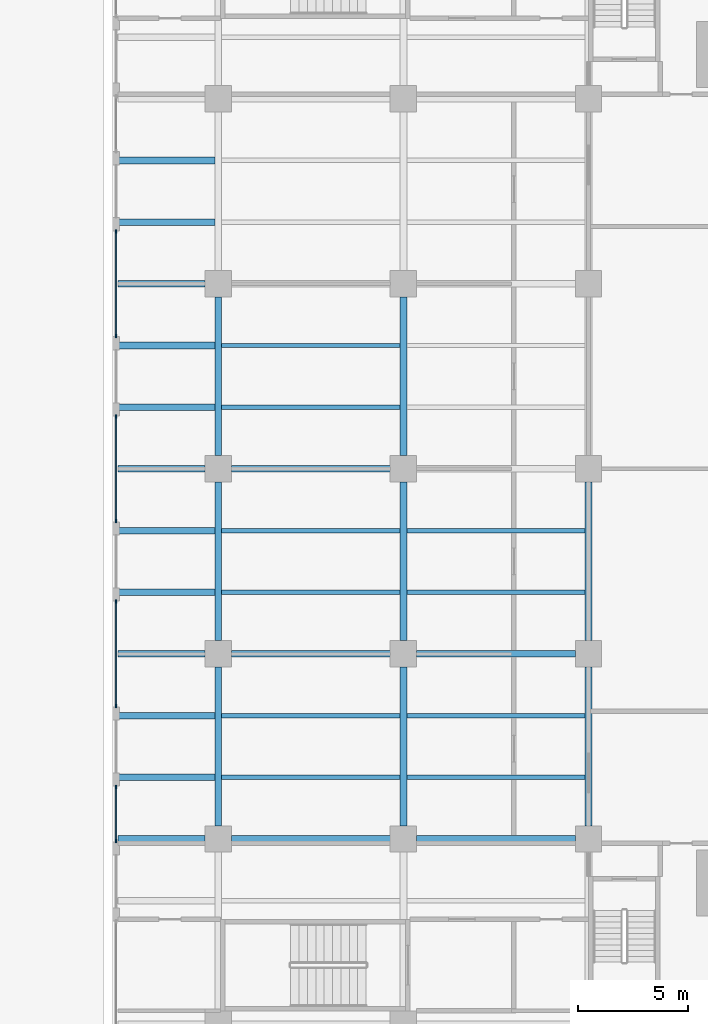
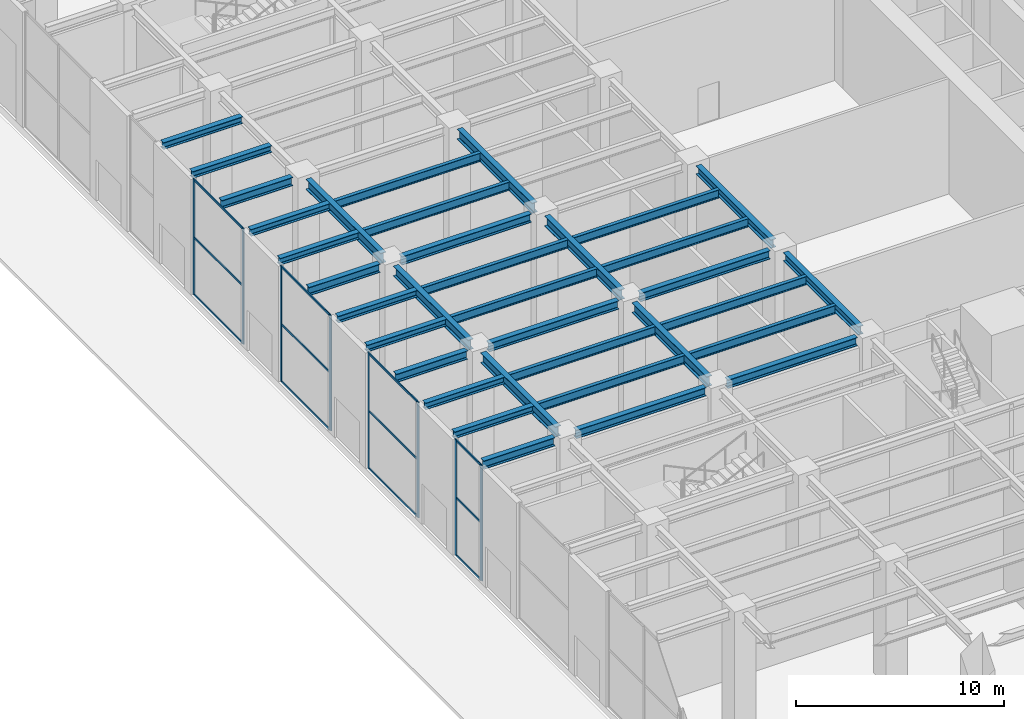
# One storey, part 9 of 43: 35 beams, 20 members, 4 elements without a shape of their own.
"""IFC4 building model written with IfcOpenShell, lengths in metres."""

import ifcopenshell
import ifcopenshell.guid

model = None  # the IFC model being written
_history = None  # IfcOwnerHistory: only IFC2X3 demands one
_inside = {}  # id of a spatial element -> (the spatial element, [elements in it])
_under = {}  # id of a project, library or spatial element -> (it, [spatial elements below it])
_declared = {}  # id of a project -> (the project, [libraries it declares])
_typed = {}  # id of a type object -> (the type object, [elements of that type])
_made_of = {}  # id of a material, layer set ... -> (it, [elements and type objects made of it])


def new_model(schema):
    """Start an empty IFC model of exactly this schema.

    Asked for "IFC4X3", IfcOpenShell would pick the latest addendum, in which some entities
    have other attributes; the version numbers below select the first issue.
    IFC2X3 requires an IfcOwnerHistory on every rooted entity: one is made here for all.
    """
    global model, _history
    if schema == "IFC4X3":
        model = ifcopenshell.file(schema_version=(4, 3, 0, 0))
    else:
        model = ifcopenshell.file(schema=schema)
    _inside.clear()
    _under.clear()
    _declared.clear()
    _typed.clear()
    _made_of.clear()
    _history = None
    if model.schema == "IFC2X3":
        org = make("IfcOrganization", Name="unknown")
        user = make(
            "IfcPersonAndOrganization",
            ThePerson=make("IfcPerson", FamilyName="unknown"),
            TheOrganization=org,
        )
        app = make(
            "IfcApplication",
            ApplicationDeveloper=org,
            Version="unknown",
            ApplicationFullName="unknown",
            ApplicationIdentifier="unknown",
        )
        _history = make(
            "IfcOwnerHistory",
            OwningUser=user,
            OwningApplication=app,
            ChangeAction="ADDED",
            CreationDate=0,
        )
    return model


def make(cls, **values):
    """One entity of the class cls with the attributes given. An attribute that is None is left unset."""
    return model.create_entity(
        cls, **{name: value for name, value in values.items() if value is not None}
    )


def rooted(cls, **values):
    """An entity with a GlobalId (a new one), such as an element, a storey or a relation."""
    return make(cls, GlobalId=ifcopenshell.guid.new(), OwnerHistory=_history, **values)


def si_unit(unit_type, name, prefix=None):
    """IfcSIUnit, for example si_unit("LENGTHUNIT", "METRE", prefix="MILLI")."""
    return make("IfcSIUnit", UnitType=unit_type, Prefix=prefix, Name=name)


def assignment(units):
    """IfcUnitAssignment: the units of a project."""
    return None if units is None else make("IfcUnitAssignment", Units=units)


def point(xyz):
    """IfcCartesianPoint."""
    return None if xyz is None else make("IfcCartesianPoint", Coordinates=xyz)


def direction(xyz):
    """IfcDirection."""
    return None if xyz is None else make("IfcDirection", DirectionRatios=xyz)


def frame(location, z_axis=None, x_axis=None):
    """IfcAxis2Placement3D, a coordinate frame: its origin and axes. An axis left out is left unset."""
    return make(
        "IfcAxis2Placement3D",
        Location=point(location),
        Axis=direction(z_axis),
        RefDirection=direction(x_axis),
    )


def frame_2d(location, x_axis=None):
    """IfcAxis2Placement2D, a coordinate frame in the plane: its origin and x axis."""
    return make(
        "IfcAxis2Placement2D", Location=point(location), RefDirection=direction(x_axis)
    )


def origin():
    """The frame at (0, 0, 0) with its axes left unset."""
    return frame((0.0, 0.0, 0.0))


def origin_2d():
    """The frame at (0, 0) in the plane with its x axis left unset."""
    return frame_2d((0.0, 0.0))


def place(relative_to, where):
    """IfcLocalPlacement: puts the frame where relative to a parent placement (None: the world)."""
    return make(
        "IfcLocalPlacement", PlacementRelTo=relative_to, RelativePlacement=where
    )


def context(
    kind, dimensions, precision=None, world=None, true_north=None, identifier=None
):
    """IfcGeometricRepresentationContext, for example the 3D "Model" context."""
    return make(
        "IfcGeometricRepresentationContext",
        ContextIdentifier=identifier,
        ContextType=kind,
        CoordinateSpaceDimension=dimensions,
        Precision=precision,
        WorldCoordinateSystem=world,
        TrueNorth=true_north,
    )


def subcontext(parent, identifier, kind, view, scale=None):
    """IfcGeometricRepresentationSubContext, for example "Body" below "Model"."""
    return make(
        "IfcGeometricRepresentationSubContext",
        ContextIdentifier=identifier,
        ContextType=kind,
        ParentContext=parent,
        TargetScale=scale,
        TargetView=view,
    )


def project(units=None, contexts=None):
    """IfcProject with its units and contexts."""
    return rooted(
        "IfcProject",
        Name="project",
        RepresentationContexts=contexts,
        UnitsInContext=assignment(units),
    )


def spatial(cls, under=None, at=None, **own):
    """A site, building, storey or space (cls), placed at a placement, below another one or the project."""
    s = rooted(cls, ObjectPlacement=at, **own)
    if under is not None:
        _under.setdefault(under.id(), (under, []))[1].append(s)
    return s


def profile(cls, at=None, kind="AREA", **sizes):
    """A parametric profile (cls). Its sizes go by their IFC names, for example OverallWidth=200.0."""
    return make(cls, ProfileType=kind, Position=at, **sizes)


def rectangle(**sizes):
    """IfcRectangleProfileDef."""
    return profile("IfcRectangleProfileDef", **sizes)


def i_section(**sizes):
    """IfcIShapeProfileDef."""
    return profile("IfcIShapeProfileDef", **sizes)


def extrude(swept, where, along, depth):
    """IfcExtrudedAreaSolid: the profile swept, set in the frame where, extruded along a direction by depth."""
    return make(
        "IfcExtrudedAreaSolid",
        SweptArea=swept,
        Position=where,
        ExtrudedDirection=direction(along),
        Depth=depth,
    )


def shape(context_of_items, identifier, shape_type, items):
    """IfcShapeRepresentation: the items that make up one representation, for example the "Body"."""
    return make(
        "IfcShapeRepresentation",
        ContextOfItems=context_of_items,
        RepresentationIdentifier=identifier,
        RepresentationType=shape_type,
        Items=items,
    )


def material(Name=None, Category=None):
    """IfcMaterial."""
    return make("IfcMaterial", Name=Name, Category=Category)


def material_profile(
    of_material, cross_section, Name=None, Category=None, Priority=None
):
    """IfcMaterialProfile: a cross section and its material."""
    return make(
        "IfcMaterialProfile",
        Name=Name,
        Material=of_material,
        Profile=cross_section,
        Priority=Priority,
        Category=Category,
    )


def profile_set(profiles, Name=None, composite=None):
    """IfcMaterialProfileSet."""
    return make(
        "IfcMaterialProfileSet",
        Name=Name,
        MaterialProfiles=profiles,
        CompositeProfile=composite,
    )


def made_of(thing, what):
    """Note that an element or type object is made of a material, layer set ...; save() writes the relation."""
    if what is not None:
        _made_of.setdefault(what.id(), (what, []))[1].append(thing)
    return thing


def type_object(cls, material=None, **own):
    """A type object (cls), such as IfcWallType, which elements share."""
    return made_of(rooted(cls, **own), material)


def element(
    cls,
    number,
    at=None,
    inside=None,
    cuts=None,
    type_object=None,
    material=None,
    context=None,
    identifier="Body",
    shape_type=None,
    held_by="IfcProductDefinitionShape",
    body=None,
    shapes=None,
    **own,
):
    """One element of the class cls, such as IfcWall. Its Tag is "e" and its number.

    at: its placement. inside: the storey or other place that contains it. cuts: it is an
    opening in that element (IfcRelVoidsElement). A single representation is given by context,
    identifier, shape_type and body (its items); several are given by shapes. held_by: the class
    of the entity that holds the representations. save() writes the other relations.
    """
    e = rooted(cls, Tag="e%d" % number, ObjectPlacement=at, **own)
    if body is not None:
        shapes = [shape(context, identifier, shape_type, body)]
    if shapes is not None:
        e.Representation = make(held_by, Representations=shapes)
    if inside is not None:
        _inside.setdefault(inside.id(), (inside, []))[1].append(e)
    if cuts is not None:
        rooted(
            "IfcRelVoidsElement", RelatingBuildingElement=cuts, RelatedOpeningElement=e
        )
    if type_object is not None:
        _typed.setdefault(type_object.id(), (type_object, []))[1].append(e)
    return made_of(e, material)


def aggregate(whole, parts):
    """IfcRelAggregates: a whole, such as a stair, and the parts it consists of."""
    return rooted("IfcRelAggregates", RelatingObject=whole, RelatedObjects=parts)


def save(model, path):
    """Write the relations noted so far, then the file.

    IfcRelAggregates (storeys below a building ...), IfcRelContainedInSpatialStructure (elements
    in a storey), IfcRelDefinesByType, IfcRelAssociatesMaterial and IfcRelDeclares: one each for
    every whole, place, type object, material and project.
    """
    for whole, parts in _under.values():
        aggregate(whole, parts)
    for where, things in _inside.values():
        rooted(
            "IfcRelContainedInSpatialStructure",
            RelatedElements=things,
            RelatingStructure=where,
        )
    for kind, things in _typed.values():
        rooted("IfcRelDefinesByType", RelatedObjects=things, RelatingType=kind)
    for what, things in _made_of.values():
        rooted("IfcRelAssociatesMaterial", RelatedObjects=things, RelatingMaterial=what)
    for by, libraries in _declared.values():
        rooted("IfcRelDeclares", RelatingContext=by, RelatedDefinitions=libraries)
    model.write(path)


model = new_model("IFC4")

# Units and contexts
model_context = context("Model", 3, precision=1e-05, world=origin(), true_north=direction((0.0, 1.0)))
body_context = subcontext(model_context, "Body", "Model", "MODEL_VIEW")
ifc_project = project(units=[si_unit("LENGTHUNIT", "METRE"), si_unit("AREAUNIT", "SQUARE_METRE"), si_unit("VOLUMEUNIT", "CUBIC_METRE"), si_unit("PLANEANGLEUNIT", "RADIAN"), si_unit("MASSUNIT", "GRAM", prefix="KILO")], contexts=[model_context])

# Site, building, storey
site_placement = place(None, origin())
site = spatial("IfcSite", under=ifc_project, at=site_placement, CompositionType="ELEMENT")
building_placement = place(site_placement, origin())
building = spatial("IfcBuilding", under=site, at=building_placement, Name="Khepri Terraces", CompositionType="ELEMENT")
storey_placement = place(building_placement, origin())
storey = spatial("IfcBuildingStorey", under=building, at=storey_placement, Name="L00", CompositionType="ELEMENT", Elevation=0.0)

# Curtain wall, members
ifc_material_1 = material(Name="Anodised aluminium bronze curtain wall", Category="aluminium")
curtain_wall_type = type_object("IfcCurtainWallType", Name="CW-SYS1-LOBBY", PredefinedType="NOTDEFINED", material=ifc_material_1)
curtain_wall_1_placement = place(storey_placement, origin())
curtain_wall_1 = element("IfcCurtainWall", 1, at=curtain_wall_1_placement, inside=storey, type_object=curtain_wall_type, Name="Curtain wall CW1 L00 W", PredefinedType="NOTDEFINED")
ifc_material_2 = material(Name="Anodised aluminium bronze", Category="aluminium")
ifc_material_profile_1 = material_profile(ifc_material_2, rectangle(XDim=0.06005859375, YDim=0.159912109375, at=origin_2d()), Name="Anodised aluminium bronze", Category="aluminium")
ifc_profile_set_1 = profile_set([ifc_material_profile_1], Name="Anodised aluminium bronze")
member_type_1 = type_object("IfcMemberType", Name="CW-MULLION-60x160", PredefinedType="MULLION", material=ifc_profile_set_1)
member_1_placement = place(storey_placement, frame((-46.64990234375, 10.77001953125, 0.0), z_axis=(0.0, 0.0, 1.0), x_axis=(1.0, 0.0, 0.0)))
member_1 = element("IfcMember", 2, at=member_1_placement, type_object=member_type_1, Name="CW1 mullion 1", PredefinedType="MULLION", context=body_context, shape_type="SweptSolid", body=[
    extrude(rectangle(XDim=0.06005859375, YDim=0.159912109375, at=origin_2d()), origin(), (0.0, 0.0, 1.0), 6.780029296875),
])
member_2_placement = place(storey_placement, frame((-46.64990234375, 6.030029296875, 0.0), z_axis=(0.0, 0.0, 1.0), x_axis=(1.0, 0.0, 0.0)))
member_2 = element("IfcMember", 3, at=member_2_placement, type_object=member_type_1, Name="CW1 mullion 2", PredefinedType="MULLION", context=body_context, shape_type="SweptSolid", body=[
    extrude(rectangle(XDim=0.06005859375, YDim=0.159912109375, at=origin_2d()), origin(), (0.0, 0.0, 1.0), 6.780029296875),
])

curtain_wall_2_placement = place(storey_placement, origin())
curtain_wall_2 = element("IfcCurtainWall", 4, at=curtain_wall_2_placement, inside=storey, type_object=curtain_wall_type, Name="Curtain wall CW1 L00 W", PredefinedType="NOTDEFINED")
member_3_placement = place(storey_placement, frame((-46.64990234375, 2.3701171875, 0.0), z_axis=(0.0, 0.0, 1.0), x_axis=(1.0, 0.0, 0.0)))
member_3 = element("IfcMember", 5, at=member_3_placement, type_object=member_type_1, Name="CW1 mullion 1", PredefinedType="MULLION", context=body_context, shape_type="SweptSolid", body=[
    extrude(rectangle(XDim=0.06005859375, YDim=0.159912109375, at=origin_2d()), origin(), (0.0, 0.0, 1.0), 6.780029296875),
])
member_4_placement = place(storey_placement, frame((-46.64990234375, -2.3701171875, 0.0), z_axis=(0.0, 0.0, 1.0), x_axis=(1.0, 0.0, 0.0)))
member_4 = element("IfcMember", 6, at=member_4_placement, type_object=member_type_1, Name="CW1 mullion 2", PredefinedType="MULLION", context=body_context, shape_type="SweptSolid", body=[
    extrude(rectangle(XDim=0.06005859375, YDim=0.159912109375, at=origin_2d()), origin(), (0.0, 0.0, 1.0), 6.780029296875),
])

curtain_wall_3_placement = place(storey_placement, origin())
curtain_wall_3 = element("IfcCurtainWall", 7, at=curtain_wall_3_placement, inside=storey, type_object=curtain_wall_type, Name="Curtain wall CW1 L00 W", PredefinedType="NOTDEFINED")
member_5_placement = place(storey_placement, frame((-46.64990234375, -6.030029296875, 0.0), z_axis=(0.0, 0.0, 1.0), x_axis=(1.0, 0.0, 0.0)))
member_5 = element("IfcMember", 8, at=member_5_placement, type_object=member_type_1, Name="CW1 mullion 1", PredefinedType="MULLION", context=body_context, shape_type="SweptSolid", body=[
    extrude(rectangle(XDim=0.06005859375, YDim=0.159912109375, at=origin_2d()), origin(), (0.0, 0.0, 1.0), 6.780029296875),
])
member_6_placement = place(storey_placement, frame((-46.64990234375, -10.77001953125, 0.0), z_axis=(0.0, 0.0, 1.0), x_axis=(1.0, 0.0, 0.0)))
member_6 = element("IfcMember", 9, at=member_6_placement, type_object=member_type_1, Name="CW1 mullion 2", PredefinedType="MULLION", context=body_context, shape_type="SweptSolid", body=[
    extrude(rectangle(XDim=0.06005859375, YDim=0.159912109375, at=origin_2d()), origin(), (0.0, 0.0, 1.0), 6.780029296875),
])

curtain_wall_4_placement = place(storey_placement, origin())
curtain_wall_4 = element("IfcCurtainWall", 10, at=curtain_wall_4_placement, inside=storey, type_object=curtain_wall_type, Name="Curtain wall CW1 L00 W", PredefinedType="NOTDEFINED")
member_7_placement = place(storey_placement, frame((-46.64990234375, -14.429931640625, 0.0), z_axis=(0.0, 0.0, 1.0), x_axis=(1.0, 0.0, 0.0)))
member_7 = element("IfcMember", 11, at=member_7_placement, type_object=member_type_1, Name="CW1 mullion 1", PredefinedType="MULLION", context=body_context, shape_type="SweptSolid", body=[
    extrude(rectangle(XDim=0.06005859375, YDim=0.159912109375, at=origin_2d()), origin(), (0.0, 0.0, 1.0), 6.780029296875),
])
member_8_placement = place(storey_placement, frame((-46.64990234375, -16.89501953125, 0.0), z_axis=(0.0, 0.0, 1.0), x_axis=(1.0, 0.0, 0.0)))
member_8 = element("IfcMember", 12, at=member_8_placement, type_object=member_type_1, Name="CW1 mullion 2", PredefinedType="MULLION", context=body_context, shape_type="SweptSolid", body=[
    extrude(rectangle(XDim=0.06005859375, YDim=0.159912109375, at=origin_2d()), origin(), (0.0, 0.0, 1.0), 6.780029296875),
])

# Member
ifc_material_profile_2 = material_profile(ifc_material_2, rectangle(XDim=0.06005859375, YDim=0.1201171875, at=origin_2d()), Name="Anodised aluminium bronze", Category="aluminium")
ifc_profile_set_2 = profile_set([ifc_material_profile_2], Name="Anodised aluminium bronze")
member_type_2 = type_object("IfcMemberType", Name="CW-TRANSOM-60x120", PredefinedType="USERDEFINED", material=ifc_profile_set_2)
member_9_placement = place(storey_placement, frame((-46.64990234375, 10.739990234375, 0.030029296875), z_axis=(0.0, -1.0, 0.0), x_axis=(1.0, 0.0, 0.0)))
member_9 = element("IfcMember", 13, at=member_9_placement, type_object=member_type_2, Name="CW1 transom 1.1", ObjectType="TRANSOM", PredefinedType="USERDEFINED", context=body_context, shape_type="SweptSolid", body=[
    extrude(rectangle(XDim=0.06005859375, YDim=0.1201171875, at=origin_2d()), origin(), (0.0, 0.0, 1.0), 4.679931640625),
])

member_10_placement = place(storey_placement, frame((-46.64990234375, 10.739990234375, 3.389892578125), z_axis=(0.0, -1.0, 0.0), x_axis=(1.0, 0.0, 0.0)))
member_10 = element("IfcMember", 14, at=member_10_placement, type_object=member_type_2, Name="CW1 transom 1.2", ObjectType="TRANSOM", PredefinedType="USERDEFINED", context=body_context, shape_type="SweptSolid", body=[
    extrude(rectangle(XDim=0.06005859375, YDim=0.1201171875, at=origin_2d()), origin(), (0.0, 0.0, 1.0), 4.679931640625),
])

member_11_placement = place(storey_placement, frame((-46.64990234375, 10.739990234375, 6.75), z_axis=(0.0, -1.0, 0.0), x_axis=(1.0, 0.0, 0.0)))
member_11 = element("IfcMember", 15, at=member_11_placement, type_object=member_type_2, Name="CW1 transom 1.3", ObjectType="TRANSOM", PredefinedType="USERDEFINED", context=body_context, shape_type="SweptSolid", body=[
    extrude(rectangle(XDim=0.06005859375, YDim=0.1201171875, at=origin_2d()), origin(), (0.0, 0.0, 1.0), 4.679931640625),
])

aggregate(curtain_wall_1, [member_1, member_2, member_9, member_10, member_11])

member_12_placement = place(storey_placement, frame((-46.64990234375, 2.340087890625, 0.030029296875), z_axis=(0.0, -1.0, 0.0), x_axis=(1.0, 0.0, 0.0)))
member_12 = element("IfcMember", 16, at=member_12_placement, type_object=member_type_2, Name="CW1 transom 1.1", ObjectType="TRANSOM", PredefinedType="USERDEFINED", context=body_context, shape_type="SweptSolid", body=[
    extrude(rectangle(XDim=0.06005859375, YDim=0.1201171875, at=origin_2d()), origin(), (0.0, 0.0, 1.0), 4.68017578125),
])

member_13_placement = place(storey_placement, frame((-46.64990234375, 2.340087890625, 3.389892578125), z_axis=(0.0, -1.0, 0.0), x_axis=(1.0, 0.0, 0.0)))
member_13 = element("IfcMember", 17, at=member_13_placement, type_object=member_type_2, Name="CW1 transom 1.2", ObjectType="TRANSOM", PredefinedType="USERDEFINED", context=body_context, shape_type="SweptSolid", body=[
    extrude(rectangle(XDim=0.06005859375, YDim=0.1201171875, at=origin_2d()), origin(), (0.0, 0.0, 1.0), 4.68017578125),
])

member_14_placement = place(storey_placement, frame((-46.64990234375, 2.340087890625, 6.75), z_axis=(0.0, -1.0, 0.0), x_axis=(1.0, 0.0, 0.0)))
member_14 = element("IfcMember", 18, at=member_14_placement, type_object=member_type_2, Name="CW1 transom 1.3", ObjectType="TRANSOM", PredefinedType="USERDEFINED", context=body_context, shape_type="SweptSolid", body=[
    extrude(rectangle(XDim=0.06005859375, YDim=0.1201171875, at=origin_2d()), origin(), (0.0, 0.0, 1.0), 4.68017578125),
])

aggregate(curtain_wall_2, [member_3, member_4, member_12, member_13, member_14])

member_15_placement = place(storey_placement, frame((-46.64990234375, -6.06005859375, 0.030029296875), z_axis=(0.0, -1.0, 0.0), x_axis=(1.0, 0.0, 0.0)))
member_15 = element("IfcMember", 19, at=member_15_placement, type_object=member_type_2, Name="CW1 transom 1.1", ObjectType="TRANSOM", PredefinedType="USERDEFINED", context=body_context, shape_type="SweptSolid", body=[
    extrude(rectangle(XDim=0.06005859375, YDim=0.1201171875, at=origin_2d()), origin(), (0.0, 0.0, 1.0), 4.679931640625),
])

member_16_placement = place(storey_placement, frame((-46.64990234375, -6.06005859375, 3.389892578125), z_axis=(0.0, -1.0, 0.0), x_axis=(1.0, 0.0, 0.0)))
member_16 = element("IfcMember", 20, at=member_16_placement, type_object=member_type_2, Name="CW1 transom 1.2", ObjectType="TRANSOM", PredefinedType="USERDEFINED", context=body_context, shape_type="SweptSolid", body=[
    extrude(rectangle(XDim=0.06005859375, YDim=0.1201171875, at=origin_2d()), origin(), (0.0, 0.0, 1.0), 4.679931640625),
])

member_17_placement = place(storey_placement, frame((-46.64990234375, -6.06005859375, 6.75), z_axis=(0.0, -1.0, 0.0), x_axis=(1.0, 0.0, 0.0)))
member_17 = element("IfcMember", 21, at=member_17_placement, type_object=member_type_2, Name="CW1 transom 1.3", ObjectType="TRANSOM", PredefinedType="USERDEFINED", context=body_context, shape_type="SweptSolid", body=[
    extrude(rectangle(XDim=0.06005859375, YDim=0.1201171875, at=origin_2d()), origin(), (0.0, 0.0, 1.0), 4.679931640625),
])

aggregate(curtain_wall_3, [member_5, member_6, member_15, member_16, member_17])

member_18_placement = place(storey_placement, frame((-46.64990234375, -14.4599609375, 0.030029296875), z_axis=(0.0, -1.0, 0.0), x_axis=(1.0, 0.0, 0.0)))
member_18 = element("IfcMember", 22, at=member_18_placement, type_object=member_type_2, Name="CW1 transom 1.1", ObjectType="TRANSOM", PredefinedType="USERDEFINED", context=body_context, shape_type="SweptSolid", body=[
    extrude(rectangle(XDim=0.06005859375, YDim=0.1201171875, at=origin_2d()), origin(), (0.0, 0.0, 1.0), 2.405029296875),
])

member_19_placement = place(storey_placement, frame((-46.64990234375, -14.4599609375, 3.389892578125), z_axis=(0.0, -1.0, 0.0), x_axis=(1.0, 0.0, 0.0)))
member_19 = element("IfcMember", 23, at=member_19_placement, type_object=member_type_2, Name="CW1 transom 1.2", ObjectType="TRANSOM", PredefinedType="USERDEFINED", context=body_context, shape_type="SweptSolid", body=[
    extrude(rectangle(XDim=0.06005859375, YDim=0.1201171875, at=origin_2d()), origin(), (0.0, 0.0, 1.0), 2.405029296875),
])

member_20_placement = place(storey_placement, frame((-46.64990234375, -14.4599609375, 6.75), z_axis=(0.0, -1.0, 0.0), x_axis=(1.0, 0.0, 0.0)))
member_20 = element("IfcMember", 24, at=member_20_placement, type_object=member_type_2, Name="CW1 transom 1.3", ObjectType="TRANSOM", PredefinedType="USERDEFINED", context=body_context, shape_type="SweptSolid", body=[
    extrude(rectangle(XDim=0.06005859375, YDim=0.1201171875, at=origin_2d()), origin(), (0.0, 0.0, 1.0), 2.405029296875),
])

aggregate(curtain_wall_4, [member_7, member_8, member_18, member_19, member_20])

# Beams
ifc_material_3 = material(Name="Steel S355", Category="steel")
ifc_material_profile_3 = material_profile(ifc_material_3, i_section(OverallWidth=0.300048828125, OverallDepth=0.39990234375, WebThickness=0.013427734375, FlangeThickness=0.02392578125, FilletRadius=0.027099609375, at=origin_2d()), Name="Steel S355", Category="steel")
ifc_profile_set_3 = profile_set([ifc_material_profile_3], Name="Steel S355")
beam_type_1 = type_object("IfcBeamType", Name="Podium cantilever joist L01 HEB 400", PredefinedType="JOIST", material=ifc_profile_set_3)
for number, where, z_axis, x_axis, name in (
    (25, (-46.550048828125, -14.0, 6.800048828125), (1.0, 0.0, 0.0), (0.0, 1.0, 0.0), "Podium cantilever joist L01 107"),
    (26, (-46.550048828125, -11.199951171875, 6.800048828125), (1.0, 0.0, 0.0), (0.0, 1.0, 0.0), "Podium cantilever joist L01 113"),
    (27, (-46.550048828125, -5.60009765625, 6.800048828125), (1.0, 0.0, 0.0), (0.0, 1.0, 0.0), "Podium cantilever joist L01 125"),
    (28, (-46.550048828125, -2.800048828125, 6.800048828125), (1.0, 0.0, 0.0), (0.0, 1.0, 0.0), "Podium cantilever joist L01 131"),
    (29, (-46.550048828125, 2.800048828125, 6.800048828125), (1.0, 0.0, 0.0), (0.0, 1.0, 0.0), "Podium cantilever joist L01 143"),
    (30, (-46.550048828125, 5.60009765625, 6.800048828125), (1.0, 0.0, 0.0), (0.0, 1.0, 0.0), "Podium cantilever joist L01 149"),
    (31, (-46.550048828125, 11.199951171875, 6.800048828125), (1.0, 0.0, 0.0), (0.0, 1.0, 0.0), "Podium cantilever joist L01 161"),
    (32, (-46.550048828125, 14.0, 6.800048828125), (1.0, 0.0, 0.0), (0.0, 1.0, 0.0), "Podium cantilever joist L01 167"),
):
    element("IfcBeam", number, at=place(storey_placement, frame(where, z_axis=z_axis, x_axis=x_axis)), inside=storey, type_object=beam_type_1, Name=name, PredefinedType="JOIST", context=body_context, shape_type="SweptSolid", body=[
        extrude(i_section(OverallWidth=0.300048828125, OverallDepth=0.39990234375, WebThickness=0.013427734375, FlangeThickness=0.02392578125, FilletRadius=0.027099609375, at=origin_2d()), origin(), (0.0, 0.0, 1.0), 4.400146484375),
    ])
ifc_material_profile_4 = material_profile(ifc_material_3, i_section(OverallWidth=0.300048828125, OverallDepth=0.60009765625, WebThickness=0.015380859375, FlangeThickness=0.030029296875, FilletRadius=0.027099609375, at=origin_2d()), Name="Steel S355", Category="steel")
ifc_profile_set_4 = profile_set([ifc_material_profile_4], Name="Steel S355")
beam_type_2 = type_object("IfcBeamType", Name="Podium girder L01 HEB 600", PredefinedType="BEAM", material=ifc_profile_set_4)
for number, where, z_axis, x_axis, name in (
    (33, (-42.0, -16.199951171875, 6.699951171875), (0.0, 1.0, 0.0), (-1.0, 0.0, 0.0), "Podium girder L01 005"),
    (34, (-42.0, -7.800048828125, 6.699951171875), (0.0, 1.0, 0.0), (-1.0, 0.0, 0.0), "Podium girder L01 006"),
    (35, (-42.0, 0.60009765625, 6.699951171875), (0.0, 1.0, 0.0), (-1.0, 0.0, 0.0), "Podium girder L01 007"),
    (36, (-33.60009765625, -16.199951171875, 6.699951171875), (0.0, 1.0, 0.0), (-1.0, 0.0, 0.0), "Podium girder L01 017"),
    (37, (-33.60009765625, -7.800048828125, 6.699951171875), (0.0, 1.0, 0.0), (-1.0, 0.0, 0.0), "Podium girder L01 018"),
    (38, (-33.60009765625, 0.60009765625, 6.699951171875), (0.0, 1.0, 0.0), (-1.0, 0.0, 0.0), "Podium girder L01 019"),
):
    element("IfcBeam", number, at=place(storey_placement, frame(where, z_axis=z_axis, x_axis=x_axis)), inside=storey, type_object=beam_type_2, Name=name, PredefinedType="BEAM", context=body_context, shape_type="SweptSolid", body=[
        extrude(i_section(OverallWidth=0.300048828125, OverallDepth=0.60009765625, WebThickness=0.015380859375, FlangeThickness=0.030029296875, FilletRadius=0.027099609375, at=origin_2d()), origin(), (0.0, 0.0, 1.0), 7.199951171875),
    ])
ifc_material_profile_5 = material_profile(ifc_material_3, i_section(OverallWidth=0.300048828125, OverallDepth=0.5, WebThickness=0.014404296875, FlangeThickness=0.028076171875, FilletRadius=0.027099609375, at=origin_2d()), Name="Steel S355", Category="steel")
ifc_profile_set_5 = profile_set([ifc_material_profile_5], Name="Steel S355")
beam_type_3 = type_object("IfcBeamType", Name="Podium girder L01 grid line HEB 500", PredefinedType="BEAM", material=ifc_profile_set_5)
beam_1_placement = place(storey_placement, frame((-46.550048828125, -16.800048828125, 6.75), z_axis=(1.0, 0.0, 0.0), x_axis=(0.0, 1.0, 0.0)))
element("IfcBeam", 39, at=beam_1_placement, inside=storey, type_object=beam_type_3, Name="Podium grid-line girder L01 101", PredefinedType="BEAM", context=body_context, shape_type="SweptSolid", body=[
    extrude(i_section(OverallWidth=0.300048828125, OverallDepth=0.5, WebThickness=0.014404296875, FlangeThickness=0.028076171875, FilletRadius=0.027099609375, at=origin_2d()), origin(), (0.0, 0.0, 1.0), 3.949951171875),
])
for number, where, z_axis, x_axis, name in (
    (40, (-41.39990234375, -16.800048828125, 6.75), (1.0, 0.0, 0.0), (0.0, 1.0, 0.0), "Podium grid-line girder L01 102"),
    (41, (-33.0, -16.800048828125, 6.75), (1.0, 0.0, 0.0), (0.0, 1.0, 0.0), "Podium grid-line girder L01 103"),
):
    element("IfcBeam", number, at=place(storey_placement, frame(where, z_axis=z_axis, x_axis=x_axis)), inside=storey, type_object=beam_type_3, Name=name, PredefinedType="BEAM", context=body_context, shape_type="SweptSolid", body=[
        extrude(i_section(OverallWidth=0.300048828125, OverallDepth=0.5, WebThickness=0.014404296875, FlangeThickness=0.028076171875, FilletRadius=0.027099609375, at=origin_2d()), origin(), (0.0, 0.0, 1.0), 7.199951171875),
    ])
beam_2_placement = place(storey_placement, frame((-46.550048828125, -8.39990234375, 6.75), z_axis=(1.0, 0.0, 0.0), x_axis=(0.0, 1.0, 0.0)))
element("IfcBeam", 42, at=beam_2_placement, inside=storey, type_object=beam_type_3, Name="Podium grid-line girder L01 119", PredefinedType="BEAM", context=body_context, shape_type="SweptSolid", body=[
    extrude(i_section(OverallWidth=0.300048828125, OverallDepth=0.5, WebThickness=0.014404296875, FlangeThickness=0.028076171875, FilletRadius=0.027099609375, at=origin_2d()), origin(), (0.0, 0.0, 1.0), 3.949951171875),
])
for number, where, z_axis, x_axis, name in (
    (43, (-41.39990234375, -8.39990234375, 6.75), (1.0, 0.0, 0.0), (0.0, 1.0, 0.0), "Podium grid-line girder L01 120"),
    (44, (-33.0, -8.39990234375, 6.75), (1.0, 0.0, 0.0), (0.0, 1.0, 0.0), "Podium grid-line girder L01 121"),
):
    element("IfcBeam", number, at=place(storey_placement, frame(where, z_axis=z_axis, x_axis=x_axis)), inside=storey, type_object=beam_type_3, Name=name, PredefinedType="BEAM", context=body_context, shape_type="SweptSolid", body=[
        extrude(i_section(OverallWidth=0.300048828125, OverallDepth=0.5, WebThickness=0.014404296875, FlangeThickness=0.028076171875, FilletRadius=0.027099609375, at=origin_2d()), origin(), (0.0, 0.0, 1.0), 7.199951171875),
    ])
beam_3_placement = place(storey_placement, frame((-46.550048828125, 0.0, 6.75), z_axis=(1.0, 0.0, 0.0), x_axis=(0.0, 1.0, 0.0)))
element("IfcBeam", 45, at=beam_3_placement, inside=storey, type_object=beam_type_3, Name="Podium grid-line girder L01 137", PredefinedType="BEAM", context=body_context, shape_type="SweptSolid", body=[
    extrude(i_section(OverallWidth=0.300048828125, OverallDepth=0.5, WebThickness=0.014404296875, FlangeThickness=0.028076171875, FilletRadius=0.027099609375, at=origin_2d()), origin(), (0.0, 0.0, 1.0), 3.949951171875),
])
beam_4_placement = place(storey_placement, frame((-41.39990234375, 0.0, 6.75), z_axis=(1.0, 0.0, 0.0), x_axis=(0.0, 1.0, 0.0)))
element("IfcBeam", 46, at=beam_4_placement, inside=storey, type_object=beam_type_3, Name="Podium grid-line girder L01 138", PredefinedType="BEAM", context=body_context, shape_type="SweptSolid", body=[
    extrude(i_section(OverallWidth=0.300048828125, OverallDepth=0.5, WebThickness=0.014404296875, FlangeThickness=0.028076171875, FilletRadius=0.027099609375, at=origin_2d()), origin(), (0.0, 0.0, 1.0), 7.199951171875),
])
beam_5_placement = place(storey_placement, frame((-46.550048828125, 8.39990234375, 6.75), z_axis=(1.0, 0.0, 0.0), x_axis=(0.0, 1.0, 0.0)))
element("IfcBeam", 47, at=beam_5_placement, inside=storey, type_object=beam_type_3, Name="Podium grid-line girder L01 155", PredefinedType="BEAM", context=body_context, shape_type="SweptSolid", body=[
    extrude(i_section(OverallWidth=0.300048828125, OverallDepth=0.5, WebThickness=0.014404296875, FlangeThickness=0.028076171875, FilletRadius=0.027099609375, at=origin_2d()), origin(), (0.0, 0.0, 1.0), 3.949951171875),
])
ifc_material_profile_6 = material_profile(ifc_material_3, i_section(OverallWidth=0.199951171875, OverallDepth=0.5, WebThickness=0.01025390625, FlangeThickness=0.01611328125, FilletRadius=0.02099609375, at=origin_2d()), Name="Steel S355", Category="steel")
ifc_profile_set_6 = profile_set([ifc_material_profile_6], Name="Steel S355")
beam_type_4 = type_object("IfcBeamType", Name="Podium joist L01 IPE 500", PredefinedType="JOIST", material=ifc_profile_set_6)
beam_6_placement = place(storey_placement, frame((-41.85009765625, -14.0, 6.75), z_axis=(1.0, 0.0, 0.0), x_axis=(0.0, 1.0, 0.0)))
element("IfcBeam", 48, at=beam_6_placement, inside=storey, type_object=beam_type_4, Name="Podium joist L01 108", PredefinedType="JOIST", context=body_context, shape_type="SweptSolid", body=[
    extrude(i_section(OverallWidth=0.199951171875, OverallDepth=0.5, WebThickness=0.01025390625, FlangeThickness=0.01611328125, FilletRadius=0.02099609375, at=origin_2d()), origin(), (0.0, 0.0, 1.0), 8.10009765625),
])
beam_7_placement = place(storey_placement, frame((-33.449951171875, -14.0, 6.75), z_axis=(1.0, 0.0, 0.0), x_axis=(0.0, 1.0, 0.0)))
element("IfcBeam", 49, at=beam_7_placement, inside=storey, type_object=beam_type_4, Name="Podium joist L01 109", PredefinedType="JOIST", context=body_context, shape_type="SweptSolid", body=[
    extrude(i_section(OverallWidth=0.199951171875, OverallDepth=0.5, WebThickness=0.01025390625, FlangeThickness=0.01611328125, FilletRadius=0.02099609375, at=origin_2d()), origin(), (0.0, 0.0, 1.0), 8.099853515625),
])
beam_8_placement = place(storey_placement, frame((-41.85009765625, -11.199951171875, 6.75), z_axis=(1.0, 0.0, 0.0), x_axis=(0.0, 1.0, 0.0)))
element("IfcBeam", 50, at=beam_8_placement, inside=storey, type_object=beam_type_4, Name="Podium joist L01 114", PredefinedType="JOIST", context=body_context, shape_type="SweptSolid", body=[
    extrude(i_section(OverallWidth=0.199951171875, OverallDepth=0.5, WebThickness=0.01025390625, FlangeThickness=0.01611328125, FilletRadius=0.02099609375, at=origin_2d()), origin(), (0.0, 0.0, 1.0), 8.10009765625),
])
beam_9_placement = place(storey_placement, frame((-33.449951171875, -11.199951171875, 6.75), z_axis=(1.0, 0.0, 0.0), x_axis=(0.0, 1.0, 0.0)))
element("IfcBeam", 51, at=beam_9_placement, inside=storey, type_object=beam_type_4, Name="Podium joist L01 115", PredefinedType="JOIST", context=body_context, shape_type="SweptSolid", body=[
    extrude(i_section(OverallWidth=0.199951171875, OverallDepth=0.5, WebThickness=0.01025390625, FlangeThickness=0.01611328125, FilletRadius=0.02099609375, at=origin_2d()), origin(), (0.0, 0.0, 1.0), 8.099853515625),
])
beam_10_placement = place(storey_placement, frame((-41.85009765625, -5.60009765625, 6.75), z_axis=(1.0, 0.0, 0.0), x_axis=(0.0, 1.0, 0.0)))
element("IfcBeam", 52, at=beam_10_placement, inside=storey, type_object=beam_type_4, Name="Podium joist L01 126", PredefinedType="JOIST", context=body_context, shape_type="SweptSolid", body=[
    extrude(i_section(OverallWidth=0.199951171875, OverallDepth=0.5, WebThickness=0.01025390625, FlangeThickness=0.01611328125, FilletRadius=0.02099609375, at=origin_2d()), origin(), (0.0, 0.0, 1.0), 8.10009765625),
])
beam_11_placement = place(storey_placement, frame((-33.449951171875, -5.60009765625, 6.75), z_axis=(1.0, 0.0, 0.0), x_axis=(0.0, 1.0, 0.0)))
element("IfcBeam", 53, at=beam_11_placement, inside=storey, type_object=beam_type_4, Name="Podium joist L01 127", PredefinedType="JOIST", context=body_context, shape_type="SweptSolid", body=[
    extrude(i_section(OverallWidth=0.199951171875, OverallDepth=0.5, WebThickness=0.01025390625, FlangeThickness=0.01611328125, FilletRadius=0.02099609375, at=origin_2d()), origin(), (0.0, 0.0, 1.0), 8.099853515625),
])
beam_12_placement = place(storey_placement, frame((-41.85009765625, -2.800048828125, 6.75), z_axis=(1.0, 0.0, 0.0), x_axis=(0.0, 1.0, 0.0)))
element("IfcBeam", 54, at=beam_12_placement, inside=storey, type_object=beam_type_4, Name="Podium joist L01 132", PredefinedType="JOIST", context=body_context, shape_type="SweptSolid", body=[
    extrude(i_section(OverallWidth=0.199951171875, OverallDepth=0.5, WebThickness=0.01025390625, FlangeThickness=0.01611328125, FilletRadius=0.02099609375, at=origin_2d()), origin(), (0.0, 0.0, 1.0), 8.10009765625),
])
beam_13_placement = place(storey_placement, frame((-33.449951171875, -2.800048828125, 6.75), z_axis=(1.0, 0.0, 0.0), x_axis=(0.0, 1.0, 0.0)))
element("IfcBeam", 55, at=beam_13_placement, inside=storey, type_object=beam_type_4, Name="Podium joist L01 133", PredefinedType="JOIST", context=body_context, shape_type="SweptSolid", body=[
    extrude(i_section(OverallWidth=0.199951171875, OverallDepth=0.5, WebThickness=0.01025390625, FlangeThickness=0.01611328125, FilletRadius=0.02099609375, at=origin_2d()), origin(), (0.0, 0.0, 1.0), 8.099853515625),
])
for number, where, z_axis, x_axis, name in (
    (56, (-41.85009765625, 2.800048828125, 6.75), (1.0, 0.0, 0.0), (0.0, 1.0, 0.0), "Podium joist L01 144"),
    (57, (-41.85009765625, 5.60009765625, 6.75), (1.0, 0.0, 0.0), (0.0, 1.0, 0.0), "Podium joist L01 150"),
):
    element("IfcBeam", number, at=place(storey_placement, frame(where, z_axis=z_axis, x_axis=x_axis)), inside=storey, type_object=beam_type_4, Name=name, PredefinedType="JOIST", context=body_context, shape_type="SweptSolid", body=[
        extrude(i_section(OverallWidth=0.199951171875, OverallDepth=0.5, WebThickness=0.01025390625, FlangeThickness=0.01611328125, FilletRadius=0.02099609375, at=origin_2d()), origin(), (0.0, 0.0, 1.0), 8.10009765625),
    ])
ifc_material_profile_7 = material_profile(ifc_material_3, i_section(OverallWidth=0.300048828125, OverallDepth=0.5, WebThickness=0.014404296875, FlangeThickness=0.028076171875, FilletRadius=0.027099609375, at=origin_2d()), Name="Steel S355", Category="steel")
ifc_profile_set_7 = profile_set([ifc_material_profile_7], Name="Steel S355")
beam_type_5 = type_object("IfcBeamType", Name="Tower ring beam HEB 500", PredefinedType="BEAM", material=ifc_profile_set_7)
for number, where, z_axis, x_axis, name in (
    (58, (-25.199951171875, -16.199951171875, 6.75), (0.0, 1.0, 0.0), (-1.0, 0.0, 0.0), "Ring beam L01 028"),
    (59, (-25.199951171875, -7.800048828125, 6.75), (0.0, 1.0, 0.0), (-1.0, 0.0, 0.0), "Ring beam L01 029"),
):
    element("IfcBeam", number, at=place(storey_placement, frame(where, z_axis=z_axis, x_axis=x_axis)), inside=storey, type_object=beam_type_5, Name=name, PredefinedType="BEAM", context=body_context, shape_type="SweptSolid", body=[
        extrude(i_section(OverallWidth=0.300048828125, OverallDepth=0.5, WebThickness=0.014404296875, FlangeThickness=0.028076171875, FilletRadius=0.027099609375, at=origin_2d()), origin(), (0.0, 0.0, 1.0), 7.199951171875),
    ])

save(model, "model.ifc")
